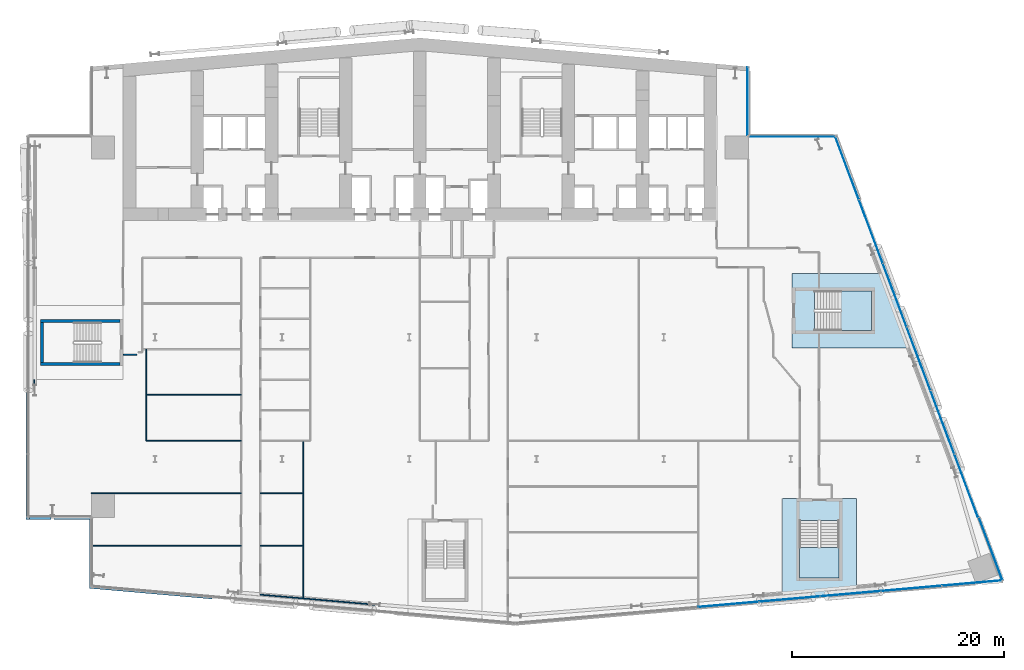
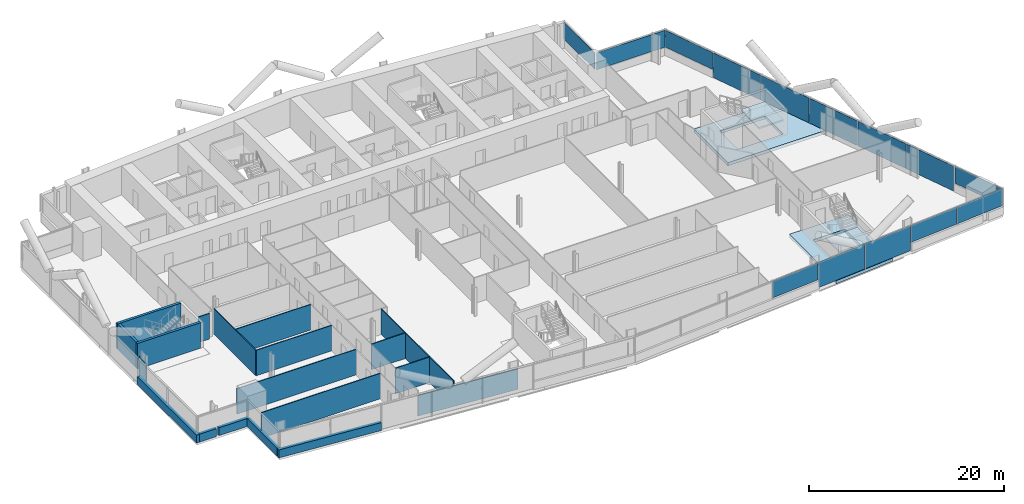
# One storey, part 12 of 27: 19 walls, 14 plates, 4 slabs, 6 elements without a shape of their own.
"""IFC4 building model written with IfcOpenShell, lengths in metres."""

from ifc_helpers import new_model, si_unit, direction, frame, frame_2d, origin, origin_2d, place, context, subcontext, project, spatial, polyline, rectangle, outline, extrude, material, layer, layer_set, type_object, element, aggregate, save


model = new_model("IFC4")

# Units and contexts
model_context = context("Model", 3, precision=1e-05, world=origin(), true_north=direction((0.0, 1.0)))
body_context = subcontext(model_context, "Body", "Model", "MODEL_VIEW")
ifc_project = project(units=[si_unit("LENGTHUNIT", "METRE"), si_unit("AREAUNIT", "SQUARE_METRE"), si_unit("VOLUMEUNIT", "CUBIC_METRE"), si_unit("PLANEANGLEUNIT", "RADIAN"), si_unit("MASSUNIT", "GRAM", prefix="KILO")], contexts=[model_context])

# Site, building, storey
site_placement = place(None, origin())
site = spatial("IfcSite", under=ifc_project, at=site_placement, CompositionType="ELEMENT")
building_placement = place(site_placement, origin())
building = spatial("IfcBuilding", under=site, at=building_placement, Name="Wharfspan Tower", CompositionType="ELEMENT")
storey_placement = place(building_placement, frame((0.0, 0.0, 77.5)))
storey = spatial("IfcBuildingStorey", under=building, at=storey_placement, Name="L16", CompositionType="ELEMENT", Elevation=77.5)

# Curtain wall, plates
ifc_material_1 = material(Name="Aluminium 6063-T6", Category="aluminium")
curtain_wall_type_1 = type_object("IfcCurtainWallType", Name="CURTAIN WALL FACETED FRONT", PredefinedType="NOTDEFINED", material=ifc_material_1)
curtain_wall_1_placement = place(storey_placement, origin())
curtain_wall_1 = element("IfcCurtainWall", 1, at=curtain_wall_1_placement, inside=storey, type_object=curtain_wall_type_1, Name="Curtain wall S2", PredefinedType="NOTDEFINED")
ifc_material_2 = material(Name="Glass clear low-iron double glazing", Category="glass")
ifc_layer_1 = layer(ifc_material_2, 0.040039)
ifc_layer_set_1 = layer_set([ifc_layer_1], Name="Glass clear low-iron double glazing")
plate_type_1 = type_object("IfcPlateType", Name="GLASS PANEL FACETED FRONT 40", PredefinedType="CURTAIN_PANEL", material=ifc_layer_set_1)
plate_1_placement = place(storey_placement, frame((66.119873, -2.204102, 1.0), z_axis=(0.0, 0.0, 1.0), x_axis=(0.996197, 0.087156, 0.0)))
plate_1 = element("IfcPlate", 2, at=plate_1_placement, type_object=plate_type_1, Name="Curtain wall S2 panel 4", PredefinedType="CURTAIN_PANEL", context=body_context, shape_type="SweptSolid", body=[
    extrude(rectangle(XDim=5.711914, YDim=0.040039, at=origin_2d()), origin(), (0.0, 0.0, 1.0), 2.120117),
])
plate_2_placement = place(storey_placement, frame((83.369873, -0.694824, 1.0), z_axis=(0.0, 0.0, 1.0), x_axis=(0.996197, 0.087156, 0.0)))
plate_2 = element("IfcPlate", 3, at=plate_2_placement, type_object=plate_type_1, Name="Curtain wall S2 panel 7", PredefinedType="CURTAIN_PANEL", context=body_context, shape_type="SweptSolid", body=[
    extrude(rectangle(XDim=5.711914, YDim=0.040039, at=origin_2d()), origin(), (0.0, 0.0, 1.0), 2.120117),
])
plate_3_placement = place(storey_placement, frame((89.104736, -0.193115, 1.0), z_axis=(0.0, 0.0, 1.0), x_axis=(0.996197, 0.087156, 0.0)))
plate_3 = element("IfcPlate", 4, at=plate_3_placement, type_object=plate_type_1, Name="Curtain wall S2 panel 8", PredefinedType="CURTAIN_PANEL", context=body_context, shape_type="SweptSolid", body=[
    extrude(rectangle(XDim=5.681885, YDim=0.040039, at=origin_2d()), origin(), (0.0, 0.0, 1.0), 2.120117),
])

curtain_wall_type_2 = type_object("IfcCurtainWallType", Name="CURTAIN WALL PROW AND END", PredefinedType="NOTDEFINED", material=ifc_material_1)
curtain_wall_2_placement = place(storey_placement, origin())
curtain_wall_2 = element("IfcCurtainWall", 5, at=curtain_wall_2_placement, inside=storey, type_object=curtain_wall_type_2, Name="Curtain wall E", PredefinedType="NOTDEFINED")
ifc_layer_2 = layer(ifc_material_2, 0.040039)
ifc_layer_set_2 = layer_set([ifc_layer_2], Name="Glass clear low-iron double glazing")
plate_type_2 = type_object("IfcPlateType", Name="GLASS PANEL PROW AND END 40", PredefinedType="CURTAIN_PANEL", material=ifc_layer_set_2)
plate_4_placement = place(storey_placement, frame((90.869629, 3.01416, 1.0), z_axis=(0.0, 0.0, 1.0), x_axis=(-0.351123, 0.936328, 0.0)))
plate_4 = element("IfcPlate", 6, at=plate_4_placement, type_object=plate_type_2, Name="Curtain wall E panel 1", PredefinedType="CURTAIN_PANEL", context=body_context, shape_type="SweptSolid", body=[
    extrude(rectangle(XDim=6.318115, YDim=0.040039, at=origin_2d()), origin(), (0.0, 0.0, 1.0), 2.120117),
])
plate_5_placement = place(storey_placement, frame((77.30542, 38.957764, 1.0), z_axis=(0.0, 0.0, 1.0), x_axis=(-0.351123, 0.936328, 0.0)))
plate_5 = element("IfcPlate", 7, at=plate_5_placement, type_object=plate_type_2, Name="Curtain wall E panel 7", PredefinedType="CURTAIN_PANEL", context=body_context, shape_type="SweptSolid", body=[
    extrude(rectangle(XDim=6.318115, YDim=0.040039, at=origin_2d()), origin(), (0.0, 0.0, 1.0), 2.120117),
])

# Curtain wall, plate
curtain_wall_3_placement = place(storey_placement, origin())
curtain_wall_3 = element("IfcCurtainWall", 8, at=curtain_wall_3_placement, inside=storey, type_object=curtain_wall_type_2, Name="Curtain wall NRE-H", PredefinedType="NOTDEFINED")
plate_6_placement = place(storey_placement, frame((72.125, 41.919922, 1.0), z_axis=(0.0, 0.0, 1.0), x_axis=(-1.0, 0.0, 0.0)))
plate_6 = element("IfcPlate", 9, at=plate_6_placement, type_object=plate_type_2, Name="Curtain wall NRE-H panel 1", PredefinedType="CURTAIN_PANEL", context=body_context, shape_type="SweptSolid", body=[
    extrude(rectangle(XDim=8.129883, YDim=0.040039, at=origin_2d()), origin(), (0.0, 0.0, 1.0), 2.120117),
])
aggregate(curtain_wall_3, [plate_6])

curtain_wall_4_placement = place(storey_placement, origin())
curtain_wall_4 = element("IfcCurtainWall", 10, at=curtain_wall_4_placement, inside=storey, type_object=curtain_wall_type_2, Name="Curtain wall NRE-V", PredefinedType="NOTDEFINED")
plate_7_placement = place(storey_placement, frame((67.919922, 45.262451, 1.0), z_axis=(0.0, 0.0, 1.0), x_axis=(0.0, 1.0, 0.0)))
plate_7 = element("IfcPlate", 11, at=plate_7_placement, type_object=plate_type_2, Name="Curtain wall NRE-V panel 1", PredefinedType="CURTAIN_PANEL", context=body_context, shape_type="SweptSolid", body=[
    extrude(rectangle(XDim=6.405029, YDim=0.040039, at=origin_2d()), origin(), (0.0, 0.0, 1.0), 2.120117),
])
aggregate(curtain_wall_4, [plate_7])

# Plate
ifc_material_3 = material(Name="Aluminium composite opaque insulated panel", Category="aluminium")
ifc_layer_3 = layer(ifc_material_3, 0.040039)
ifc_layer_set_3 = layer_set([ifc_layer_3], Name="Aluminium composite opaque insulated panel")
plate_type_3 = type_object("IfcPlateType", Name="INFILL PANEL FACETED FRONT OPAQUE 40", PredefinedType="SHEET", material=ifc_layer_set_3)
plate_8_placement = place(storey_placement, frame((71.869873, -1.700928, 0.0), z_axis=(0.0, 0.0, 1.0), x_axis=(0.996197, 0.087156, 0.0)))
plate_8 = element("IfcPlate", 12, at=plate_8_placement, type_object=plate_type_3, Name="Curtain wall S2 panel 5", PredefinedType="SHEET", context=body_context, shape_type="SweptSolid", body=[
    extrude(rectangle(XDim=5.711914, YDim=0.040039, at=origin_2d()), origin(), (0.0, 0.0, 1.0), 3.120117),
])

plate_9_placement = place(storey_placement, frame((77.619873, -1.197998, 0.0), z_axis=(0.0, 0.0, 1.0), x_axis=(0.996197, 0.087156, 0.0)))
plate_9 = element("IfcPlate", 13, at=plate_9_placement, type_object=plate_type_3, Name="Curtain wall S2 panel 6", PredefinedType="SHEET", context=body_context, shape_type="SweptSolid", body=[
    extrude(rectangle(XDim=5.711914, YDim=0.040039, at=origin_2d()), origin(), (0.0, 0.0, 1.0), 3.120117),
])

aggregate(curtain_wall_1, [plate_1, plate_8, plate_9, plate_2, plate_3])

ifc_layer_4 = layer(ifc_material_3, 0.040039)
ifc_layer_set_4 = layer_set([ifc_layer_4], Name="Aluminium composite opaque insulated panel")
plate_type_4 = type_object("IfcPlateType", Name="INFILL PANEL PROW AND END OPAQUE 40", PredefinedType="SHEET", material=ifc_layer_set_4)
plate_10_placement = place(storey_placement, frame((88.550049, 8.971924, 0.0), z_axis=(0.0, 0.0, 1.0), x_axis=(-0.351123, 0.936328, 0.0)))
plate_10 = element("IfcPlate", 14, at=plate_10_placement, type_object=plate_type_4, Name="Curtain wall E panel 2", PredefinedType="SHEET", context=body_context, shape_type="SweptSolid", body=[
    extrude(rectangle(XDim=6.3479, YDim=0.040039, at=origin_2d()), origin(), (0.0, 0.0, 1.0), 3.120117),
])

plate_11_placement = place(storey_placement, frame((86.300049, 14.971924, 0.0), z_axis=(0.0, 0.0, 1.0), x_axis=(-0.351123, 0.936328, 0.0)))
plate_11 = element("IfcPlate", 15, at=plate_11_placement, type_object=plate_type_4, Name="Curtain wall E panel 3", PredefinedType="SHEET", context=body_context, shape_type="SweptSolid", body=[
    extrude(rectangle(XDim=6.3479, YDim=0.040039, at=origin_2d()), origin(), (0.0, 0.0, 1.0), 3.120117),
])

plate_12_placement = place(storey_placement, frame((84.050049, 20.971924, 0.0), z_axis=(0.0, 0.0, 1.0), x_axis=(-0.351123, 0.936328, 0.0)))
plate_12 = element("IfcPlate", 16, at=plate_12_placement, type_object=plate_type_4, Name="Curtain wall E panel 4", PredefinedType="SHEET", context=body_context, shape_type="SweptSolid", body=[
    extrude(rectangle(XDim=6.3479, YDim=0.040039, at=origin_2d()), origin(), (0.0, 0.0, 1.0), 3.120117),
])

plate_13_placement = place(storey_placement, frame((81.800049, 26.971924, 0.0), z_axis=(0.0, 0.0, 1.0), x_axis=(-0.351123, 0.936328, 0.0)))
plate_13 = element("IfcPlate", 17, at=plate_13_placement, type_object=plate_type_4, Name="Curtain wall E panel 5", PredefinedType="SHEET", context=body_context, shape_type="SweptSolid", body=[
    extrude(rectangle(XDim=6.3479, YDim=0.040039, at=origin_2d()), origin(), (0.0, 0.0, 1.0), 3.120117),
])

plate_14_placement = place(storey_placement, frame((79.550049, 32.971924, 0.0), z_axis=(0.0, 0.0, 1.0), x_axis=(-0.351123, 0.936328, 0.0)))
plate_14 = element("IfcPlate", 18, at=plate_14_placement, type_object=plate_type_4, Name="Curtain wall E panel 6", PredefinedType="SHEET", context=body_context, shape_type="SweptSolid", body=[
    extrude(rectangle(XDim=6.3479, YDim=0.040039, at=origin_2d()), origin(), (0.0, 0.0, 1.0), 3.120117),
])

aggregate(curtain_wall_2, [plate_4, plate_10, plate_11, plate_12, plate_13, plate_14, plate_5])

# Slabs
ifc_material_4 = material(Name="Concrete C40/50", Category="concrete")
ifc_layer_5 = layer(ifc_material_4, 0.399902)
ifc_layer_set_5 = layer_set([ifc_layer_5], Name="Concrete C40/50")
slab_type_1 = type_object("IfcSlabType", Name="Post-tensioned flat slab 400", PredefinedType="FLOOR", material=ifc_layer_set_5)
slab_1_placement = place(storey_placement, frame((0.0, 0.0, -0.400146)))
element("IfcSlab", 19, at=slab_1_placement, inside=storey, type_object=slab_type_1, Name="Core floor slab L16 part 5", PredefinedType="FLOOR", context=body_context, shape_type="SweptSolid", body=[
    extrude(outline(polyline([(78.192383, 7.791992), (76.867432, 7.791992), (72.517578, 7.791992), (71.192383, 7.791992), (71.192383, -1.820312), (78.192383, -1.208008), (78.192383, 7.791992)]), holes=[polyline([(76.567383, 5.694092), (76.567627, 5.694092), (76.567871, 5.694092), (76.568115, 5.693848), (76.568115, 5.693848), (76.568359, 5.693848), (76.568604, 5.693604), (76.568604, 5.693604), (76.568848, 5.693359), (76.569092, 5.693359), (76.569092, 5.693115), (76.569092, 5.692871), (76.569336, 5.692871), (76.569336, 5.692627), (76.569336, 5.692383), (76.56958, 5.692139), (76.56958, 5.691895), (76.56958, 0.291992), (76.56958, 0.291748), (76.569336, 0.291504), (76.569336, 0.291504), (76.569336, 0.29126), (76.569092, 0.291016), (76.569092, 0.291016), (76.569092, 0.290771), (76.568848, 0.290527), (76.568604, 0.290527), (76.568604, 0.290283), (76.568359, 0.290283), (76.568115, 0.290283), (76.568115, 0.290039), (76.567871, 0.290039), (76.567627, 0.290039), (76.567383, 0.290039), (72.817383, 0.290039), (72.817383, 0.290039), (72.817139, 0.290039), (72.816895, 0.290039), (72.81665, 0.290283), (72.816406, 0.290283), (72.816406, 0.290283), (72.816162, 0.290527), (72.816162, 0.290527), (72.815918, 0.290771), (72.815918, 0.291016), (72.815674, 0.291016), (72.815674, 0.29126), (72.815674, 0.291504), (72.81543, 0.291504), (72.81543, 0.291748), (72.81543, 0.291992), (72.81543, 5.691895), (72.81543, 5.692139), (72.81543, 5.692383), (72.815674, 5.692627), (72.815674, 5.692871), (72.815674, 5.692871), (72.815918, 5.693115), (72.815918, 5.693359), (72.816162, 5.693359), (72.816162, 5.693604), (72.816406, 5.693604), (72.816406, 5.693848), (72.81665, 5.693848), (72.816895, 5.693848), (72.817139, 5.694092), (72.817383, 5.694092), (72.817383, 5.694092), (76.567383, 5.694092)])]), origin(), (0.0, 0.0, 1.0), 0.400146),
])
slab_2_placement = place(storey_placement, frame((0.0, 0.0, -0.400146)))
element("IfcSlab", 20, at=slab_2_placement, inside=storey, type_object=slab_type_1, Name="Core floor slab L16 part 6", PredefinedType="FLOOR", context=body_context, shape_type="SweptSolid", body=[
    extrude(outline(polyline([(81.125, 29.0), (72.125, 29.0), (72.125, 27.675049), (72.125, 23.324951), (72.125, 22.0), (83.75, 22.0), (81.125, 29.0)]), holes=[polyline([(74.2229, 27.375), (74.2229, 27.375244), (74.2229, 27.375488), (74.223145, 27.375488), (74.223145, 27.375732), (74.223145, 27.375977), (74.223389, 27.376221), (74.223389, 27.376221), (74.223633, 27.376465), (74.223633, 27.376465), (74.223877, 27.376709), (74.224121, 27.376709), (74.224121, 27.376709), (74.224365, 27.376953), (74.224609, 27.376953), (74.224854, 27.376953), (74.225098, 27.376953), (79.625, 27.376953), (79.625244, 27.376953), (79.625488, 27.376953), (79.625488, 27.376953), (79.625732, 27.376709), (79.625977, 27.376709), (79.626221, 27.376709), (79.626221, 27.376465), (79.626465, 27.376465), (79.626465, 27.376221), (79.626709, 27.376221), (79.626709, 27.375977), (79.626709, 27.375732), (79.626953, 27.375488), (79.626953, 27.375488), (79.626953, 27.375244), (79.626953, 27.375), (79.626953, 23.625), (79.626953, 23.624756), (79.626953, 23.624512), (79.626953, 23.624512), (79.626709, 23.624268), (79.626709, 23.624023), (79.626709, 23.623779), (79.626465, 23.623779), (79.626465, 23.623535), (79.626221, 23.623535), (79.626221, 23.623291), (79.625977, 23.623291), (79.625732, 23.623291), (79.625488, 23.623047), (79.625488, 23.623047), (79.625244, 23.623047), (79.625, 23.623047), (74.225098, 23.623047), (74.224854, 23.623047), (74.224609, 23.623047), (74.224365, 23.623047), (74.224121, 23.623291), (74.224121, 23.623291), (74.223877, 23.623291), (74.223633, 23.623535), (74.223633, 23.623535), (74.223389, 23.623779), (74.223389, 23.623779), (74.223145, 23.624023), (74.223145, 23.624268), (74.223145, 23.624512), (74.2229, 23.624512), (74.2229, 23.624756), (74.2229, 23.625), (74.2229, 27.375)])]), origin(), (0.0, 0.0, 1.0), 0.400146),
])

# Stair, slab
stair_type = type_object("IfcStairType", Name="Half-turn stair 20 risers 180 mm", PredefinedType="HALF_TURN_STAIR", material=ifc_material_4)
stair_1_placement = place(storey_placement, origin())
stair_1 = element("IfcStair", 21, at=stair_1_placement, inside=storey, type_object=stair_type, Name="L16 stair ST5", PredefinedType="HALF_TURN_STAIR")
ifc_layer_6 = layer(ifc_material_4, 0.199951)
ifc_layer_set_6 = layer_set([ifc_layer_6], Name="Concrete C40/50")
slab_type_2 = type_object("IfcSlabType", Name="Stair landing 200", PredefinedType="LANDING", material=ifc_layer_set_6)
slab_3_placement = place(storey_placement, frame((0.0, 0.0, 1.599854)))
slab_3 = element("IfcSlab", 22, at=slab_3_placement, type_object=slab_type_2, Name="ST5 landing 1", PredefinedType="LANDING", context=body_context, shape_type="SweptSolid", body=[
    extrude(outline(polyline([(72.817383, 3.172119), (72.817383, 0.291992), (76.567383, 0.291992), (76.567383, 3.172119), (72.817383, 3.172119)])), origin(), (0.0, 0.0, 1.0), 0.200195),
])
aggregate(stair_1, [slab_3])

stair_2_placement = place(storey_placement, origin())
stair_2 = element("IfcStair", 23, at=stair_2_placement, inside=storey, type_object=stair_type, Name="L16 stair ST6", PredefinedType="HALF_TURN_STAIR")
slab_4_placement = place(storey_placement, frame((0.0, 0.0, 1.599854)))
slab_4 = element("IfcSlab", 24, at=slab_4_placement, type_object=slab_type_2, Name="ST6 landing 1", PredefinedType="LANDING", context=body_context, shape_type="SweptSolid", body=[
    extrude(outline(polyline([(76.745117, 23.625), (79.625, 23.625), (79.625, 27.375), (76.745117, 27.375), (76.745117, 23.625)])), origin(), (0.0, 0.0, 1.0), 0.200195),
])
aggregate(stair_2, [slab_4])

# Walls
ifc_material_5 = material(Name="Gypsum board on steel studs", Category="steel")
ifc_layer_7 = layer(ifc_material_5, 0.100098)
ifc_layer_set_7 = layer_set([ifc_layer_7], Name="Gypsum board on steel studs")
wall_type_1 = type_object("IfcWallType", Name="Compartment wall 100 EI 60", PredefinedType="PARTITIONING", material=ifc_layer_set_7)
wall_1_placement = place(storey_placement, frame((6.0, 8.274902, 0.0), z_axis=(0.0, 0.0, 1.0), x_axis=(1.0, 0.0, 0.0)))
element("IfcWall", 25, at=wall_1_placement, inside=storey, type_object=wall_type_1, Name="Partition L16.w004", PredefinedType="PARTITIONING", context=body_context, shape_type="SweptSolid", body=[
    extrude(rectangle(XDim=14.139893, YDim=0.100098, at=frame_2d((7.069824, 0.0))), origin(), (0.0, 0.0, 1.0), 3.199951),
])
wall_2_placement = place(storey_placement, frame((6.02002, 3.314941, 0.0), z_axis=(0.0, 0.0, 1.0), x_axis=(1.0, 0.0, 0.0)))
element("IfcWall", 26, at=wall_2_placement, inside=storey, type_object=wall_type_1, Name="Partition L16.w005", PredefinedType="PARTITIONING", context=body_context, shape_type="SweptSolid", body=[
    extrude(rectangle(XDim=14.119873, YDim=0.100098, at=frame_2d((7.060059, 0.0))), origin(), (0.0, 0.0, 1.0), 3.199951),
])
wall_3_placement = place(storey_placement, frame((9.02002, 21.350098, 0.0), z_axis=(0.0, 0.0, 1.0), x_axis=(1.0, 0.0, 0.0)))
element("IfcWall", 27, at=wall_3_placement, inside=storey, type_object=wall_type_1, Name="Partition L16.w007", PredefinedType="PARTITIONING", context=body_context, shape_type="SweptSolid", body=[
    extrude(rectangle(XDim=1.280029, YDim=0.100098, at=frame_2d((0.640137, 0.0))), origin(), (0.0, 0.0, 1.0), 3.199951),
])
for number, where, z_axis, x_axis, name in (
    (28, (11.169922, 13.23999, 0.0), (0.0, 0.0, 1.0), (1.0, 0.0, 0.0), "Partition L16.w014"),
    (29, (11.169922, 17.554932, 0.0), (0.0, 0.0, 1.0), (1.0, 0.0, 0.0), "Partition L16.w015"),
):
    element("IfcWall", number, at=place(storey_placement, frame(where, z_axis=z_axis, x_axis=x_axis)), inside=storey, type_object=wall_type_1, Name=name, PredefinedType="PARTITIONING", context=body_context, shape_type="SweptSolid", body=[
        extrude(rectangle(XDim=8.969971, YDim=0.100098, at=frame_2d((4.484863, 0.0))), origin(), (0.0, 0.0, 1.0), 3.199951),
    ])
for number, where, z_axis, x_axis, name in (
    (30, (21.939941, 3.314941, 0.0), (0.0, 0.0, 1.0), (1.0, 0.0, 0.0), "Partition L16.w018"),
    (31, (21.939941, 8.274902, 0.0), (0.0, 0.0, 1.0), (1.0, 0.0, 0.0), "Partition L16.w019"),
):
    element("IfcWall", number, at=place(storey_placement, frame(where, z_axis=z_axis, x_axis=x_axis)), inside=storey, type_object=wall_type_1, Name=name, PredefinedType="PARTITIONING", context=body_context, shape_type="SweptSolid", body=[
        extrude(rectangle(XDim=4.060059, YDim=0.100098, at=frame_2d((2.030029, 0.0))), origin(), (0.0, 0.0, 1.0), 3.199951),
    ])
wall_4_placement = place(storey_placement, frame((33.219971, -2.274902, 0.0), z_axis=(0.0, 0.0, 1.0), x_axis=(-0.996212, 0.086913, 0.0)))
element("IfcWall", 32, at=wall_4_placement, inside=storey, type_object=wall_type_1, Name="Partition L16.w031", PredefinedType="PARTITIONING", context=body_context, shape_type="SweptSolid", body=[
    extrude(rectangle(XDim=11.323242, YDim=0.100098, at=frame_2d((5.661621, 0.0))), origin(), (0.0, 0.0, 1.0), 2.580078),
])
ifc_layer_8 = layer(ifc_material_5, 0.100098)
ifc_layer_set_8 = layer_set([ifc_layer_8], Name="Gypsum board on steel studs")
wall_type_2 = type_object("IfcWallType", Name="Partition 100", PredefinedType="PARTITIONING", material=ifc_layer_set_8)
wall_5_placement = place(storey_placement, frame((0.629883, 17.5, 0.0), z_axis=(0.0, 0.0, 1.0), x_axis=(0.0, 1.0, 0.0)))
element("IfcWall", 33, at=wall_5_placement, inside=storey, type_object=wall_type_2, Name="Partition L16.w001", PredefinedType="PARTITIONING", context=body_context, shape_type="SweptSolid", body=[
    extrude(rectangle(XDim=1.47998, YDim=0.100098, at=frame_2d((0.73999, 0.0))), origin(), (0.0, 0.0, 1.0), 2.580078),
])
wall_6_placement = place(storey_placement, frame((11.169922, 13.23999, 0.0), z_axis=(0.0, 0.0, 1.0), x_axis=(0.0, 1.0, 0.0)))
element("IfcWall", 34, at=wall_6_placement, inside=storey, type_object=wall_type_2, Name="Partition L16.w013", PredefinedType="PARTITIONING", context=body_context, shape_type="SweptSolid", body=[
    extrude(rectangle(XDim=8.630127, YDim=0.100098, at=frame_2d((4.314941, 0.0))), origin(), (0.0, 0.0, 1.0), 3.199951),
])
wall_7_placement = place(storey_placement, frame((26.0, -1.64502, 0.0), z_axis=(0.0, 0.0, 1.0), x_axis=(0.0, 1.0, 0.0)))
element("IfcWall", 35, at=wall_7_placement, inside=storey, type_object=wall_type_2, Name="Partition L16.w027", PredefinedType="PARTITIONING", context=body_context, shape_type="SweptSolid", body=[
    extrude(rectangle(XDim=14.88501, YDim=0.100098, at=frame_2d((7.442383, 0.0))), origin(), (0.0, 0.0, 1.0), 3.199951),
])
ifc_layer_9 = layer(ifc_material_4, 0.350098)
ifc_layer_set_9 = layer_set([ifc_layer_9], Name="Concrete C40/50")
wall_type_3 = type_object("IfcWallType", Name="SPANDREL EXPOSED CONCRETE 350", PredefinedType="SOLIDWALL", material=ifc_layer_set_9)
wall_8_placement = place(storey_placement, frame((5.835205, -0.515625, 0.0), z_axis=(0.0, 0.0, 1.0), x_axis=(0.996192, -0.087142, 0.0)))
element("IfcWall", 36, at=wall_8_placement, inside=storey, type_object=wall_type_3, Name="Spandrel upstand L16 S1 1", PredefinedType="SOLIDWALL", context=body_context, shape_type="SweptSolid", body=[
    extrude(rectangle(XDim=11.607178, YDim=0.350098, at=frame_2d((5.803711, 0.0))), origin(), (0.0, 0.0, 1.0), 1.0),
])
wall_9_placement = place(storey_placement, frame((-0.004883, 17.969971, 0.0), z_axis=(0.0, 0.0, 1.0), x_axis=(0.0, -1.0, 0.0)))
element("IfcWall", 37, at=wall_9_placement, inside=storey, type_object=wall_type_3, Name="Spandrel upstand L16 W", PredefinedType="SOLIDWALL", context=body_context, shape_type="SweptSolid", body=[
    extrude(rectangle(XDim=12.149902, YDim=0.350098, at=frame_2d((6.074951, 0.0))), origin(), (0.0, 0.0, 1.0), 1.0),
])
wall_10_placement = place(storey_placement, frame((0.169922, 5.995117, 0.0), z_axis=(0.0, 0.0, 1.0), x_axis=(1.0, 0.0, 0.0)))
element("IfcWall", 38, at=wall_10_placement, inside=storey, type_object=wall_type_3, Name="Spandrel upstand L16 NFW-H", PredefinedType="SOLIDWALL", context=body_context, shape_type="SweptSolid", body=[
    extrude(rectangle(XDim=2.010742, YDim=0.350098, at=frame_2d((1.005371, 0.0))), origin(), (0.0, 0.0, 1.0), 1.0),
])
wall_11_placement = place(storey_placement, frame((2.482666, 5.995117, 0.0), z_axis=(0.0, 0.0, 1.0), x_axis=(1.0, 0.0, 0.0)))
element("IfcWall", 39, at=wall_11_placement, inside=storey, type_object=wall_type_3, Name="Spandrel upstand L16 NFW-H 2", PredefinedType="SOLIDWALL", context=body_context, shape_type="SweptSolid", body=[
    extrude(rectangle(XDim=3.517334, YDim=0.350098, at=frame_2d((1.758789, 0.0))), origin(), (0.0, 0.0, 1.0), 1.0),
])
wall_12_placement = place(storey_placement, frame((5.995117, 5.820068, 0.0), z_axis=(0.0, 0.0, 1.0), x_axis=(0.0, -1.0, 0.0)))
element("IfcWall", 40, at=wall_12_placement, inside=storey, type_object=wall_type_3, Name="Spandrel upstand L16 NFW-V", PredefinedType="SOLIDWALL", context=body_context, shape_type="SweptSolid", body=[
    extrude(rectangle(XDim=6.161377, YDim=0.350098, at=frame_2d((3.080566, 0.0))), origin(), (0.0, 0.0, 1.0), 1.0),
])
ifc_layer_10 = layer(ifc_material_4, 0.300049)
ifc_layer_set_10 = layer_set([ifc_layer_10], Name="Concrete C40/50")
wall_type_4 = type_object("IfcWallType", Name="Stair core wall 300", PredefinedType="SHEAR", material=ifc_layer_set_10)
for number, where, z_axis, x_axis, name in (
    (41, (1.199951, 20.475098, 0.0), (0.0, 0.0, 1.0), (1.0, 0.0, 0.0), "ST3 stair enclosure wall L16"),
    (42, (1.199951, 24.524902, 0.0), (0.0, 0.0, 1.0), (1.0, 0.0, 0.0), "ST3 stair enclosure wall L16"),
):
    element("IfcWall", number, at=place(storey_placement, frame(where, z_axis=z_axis, x_axis=x_axis)), inside=storey, type_object=wall_type_4, Name=name, PredefinedType="SHEAR", context=body_context, shape_type="SweptSolid", body=[
        extrude(rectangle(XDim=7.5, YDim=0.300049, at=frame_2d((3.75, 0.0))), origin(), (0.0, 0.0, 1.0), 3.199951),
    ])
wall_13_placement = place(storey_placement, frame((1.350098, 20.625, 0.0), z_axis=(0.0, 0.0, 1.0), x_axis=(0.0, 1.0, 0.0)))
element("IfcWall", 43, at=wall_13_placement, inside=storey, type_object=wall_type_4, Name="ST3 stair enclosure wall L16", PredefinedType="SHEAR", context=body_context, shape_type="SweptSolid", body=[
    extrude(rectangle(XDim=3.75, YDim=0.300049, at=frame_2d((1.875, 0.0))), origin(), (0.0, 0.0, 1.0), 3.199951),
])

save(model, "model.ifc")
